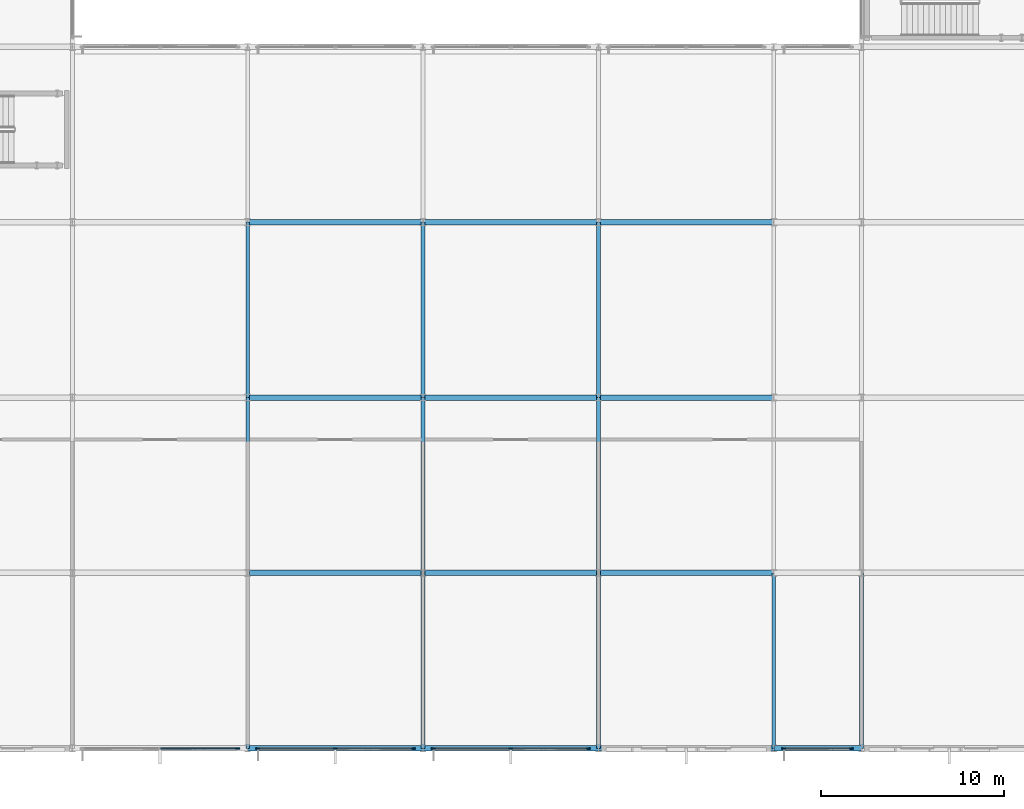
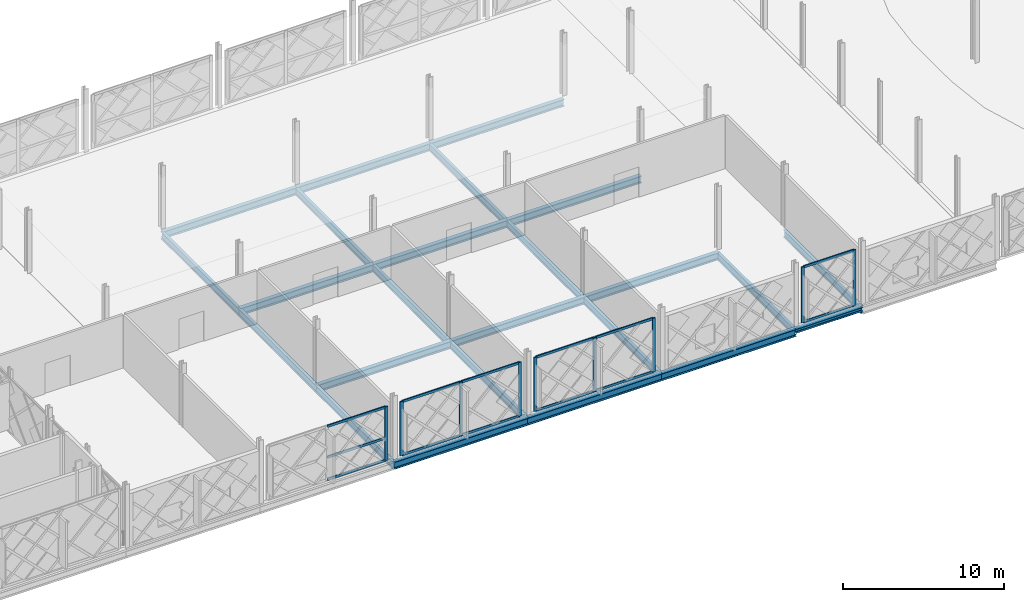
# One storey, part 23 of 77: 24 beams, 22 members, 4 elements without a shape of their own.
"""IFC4 building model written with IfcOpenShell, lengths in metres."""

from ifc_helpers import new_model, si_unit, direction, frame, origin, origin_2d, place, context, subcontext, project, spatial, rectangle, i_section, extrude, material, layer, layer_set, material_profile, profile_set, type_object, element, aggregate, save


model = new_model("IFC4")

# Units and contexts
model_context = context("Model", 3, precision=1e-05, world=origin(), true_north=direction((0.0, 1.0)))
body_context = subcontext(model_context, "Body", "Model", "MODEL_VIEW")
ifc_project = project(units=[si_unit("LENGTHUNIT", "METRE"), si_unit("AREAUNIT", "SQUARE_METRE"), si_unit("VOLUMEUNIT", "CUBIC_METRE"), si_unit("PLANEANGLEUNIT", "RADIAN"), si_unit("MASSUNIT", "GRAM", prefix="KILO")], contexts=[model_context])

# Site, building, storey
site_placement = place(None, origin())
site = spatial("IfcSite", under=ifc_project, at=site_placement, CompositionType="ELEMENT")
building_placement = place(site_placement, origin())
building = spatial("IfcBuilding", under=site, at=building_placement, Name="Zevrakil Square Congress Hotel", CompositionType="ELEMENT")
storey_placement = place(building_placement, frame((0.0, 0.0, 9.89990234375)))
storey = spatial("IfcBuildingStorey", under=building, at=storey_placement, Name="L03", CompositionType="ELEMENT", Elevation=9.89990234375)

# Beams
ifc_material_1 = material(Name="Steel S355", Category="steel")
ifc_material_profile_1 = material_profile(ifc_material_1, i_section(OverallWidth=0.300048828125, OverallDepth=0.31005859375, WebThickness=0.009033203125, FlangeThickness=0.015380859375, FilletRadius=0.027099609375, at=origin_2d()), Name="HEA 320")
ifc_profile_set_1 = profile_set([ifc_material_profile_1], Name="Steel S355")
beam_type_1 = type_object("IfcBeamType", Name="BM-HEA320", PredefinedType="BEAM", material=ifc_profile_set_1)
beam_1_placement = place(storey_placement, frame((103.199951171875, 7.199951171875, -0.414794921875), z_axis=(1.0, 0.0, 0.0), x_axis=(0.0, 1.0, 0.0)))
element("IfcBeam", 1, at=beam_1_placement, inside=storey, type_object=beam_type_1, Name="L03 primary girder BX-0978", PredefinedType="BEAM", context=body_context, shape_type="SweptSolid", body=[
    extrude(i_section(OverallWidth=0.300048828125, OverallDepth=0.31005859375, WebThickness=0.009033203125, FlangeThickness=0.015380859375, FilletRadius=0.027099609375, at=origin_2d()), origin(), (0.0, 0.0, 1.0), 4.800048828125),
])
ifc_material_2 = material(Name="Steel S355", Category="steel")
ifc_material_profile_2 = material_profile(ifc_material_2, i_section(OverallWidth=0.300048828125, OverallDepth=0.5400390625, WebThickness=0.012451171875, FlangeThickness=0.02392578125, FilletRadius=0.027099609375, at=origin_2d()), Name="HEA 550")
ifc_profile_set_2 = profile_set([ifc_material_profile_2], Name="Steel S355")
beam_type_2 = type_object("IfcBeamType", Name="BM-HEA550", PredefinedType="BEAM", material=ifc_profile_set_2)
for number, where, z_axis, x_axis, name in (
    (2, (74.39990234375, 7.199951171875, -0.52978515625), (1.0, 0.0, 0.0), (0.0, 1.0, 0.0), "L03 primary girder BX-0975"),
    (3, (84.0, 7.199951171875, -0.52978515625), (1.0, 0.0, 0.0), (0.0, 1.0, 0.0), "L03 primary girder BX-0976"),
):
    element("IfcBeam", number, at=place(storey_placement, frame(where, z_axis=z_axis, x_axis=x_axis)), inside=storey, type_object=beam_type_2, Name=name, PredefinedType="BEAM", context=body_context, shape_type="SweptSolid", body=[
        extrude(i_section(OverallWidth=0.300048828125, OverallDepth=0.5400390625, WebThickness=0.012451171875, FlangeThickness=0.02392578125, FilletRadius=0.027099609375, at=origin_2d()), origin(), (0.0, 0.0, 1.0), 9.60009765625),
    ])
beam_2_placement = place(storey_placement, frame((93.60009765625, 7.199951171875, -0.52978515625), z_axis=(1.0, 0.0, 0.0), x_axis=(0.0, 1.0, 0.0)))
element("IfcBeam", 4, at=beam_2_placement, inside=storey, type_object=beam_type_2, Name="L03 primary girder BX-0977", PredefinedType="BEAM", context=body_context, shape_type="SweptSolid", body=[
    extrude(i_section(OverallWidth=0.300048828125, OverallDepth=0.5400390625, WebThickness=0.012451171875, FlangeThickness=0.02392578125, FilletRadius=0.027099609375, at=origin_2d()), origin(), (0.0, 0.0, 1.0), 9.599853515625),
])
for number, where, z_axis, x_axis, name in (
    (5, (74.39990234375, 16.800048828125, -0.52978515625), (1.0, 0.0, 0.0), (0.0, 1.0, 0.0), "L03 primary girder BX-0986"),
    (6, (84.0, 16.800048828125, -0.52978515625), (1.0, 0.0, 0.0), (0.0, 1.0, 0.0), "L03 primary girder BX-0987"),
):
    element("IfcBeam", number, at=place(storey_placement, frame(where, z_axis=z_axis, x_axis=x_axis)), inside=storey, type_object=beam_type_2, Name=name, PredefinedType="BEAM", context=body_context, shape_type="SweptSolid", body=[
        extrude(i_section(OverallWidth=0.300048828125, OverallDepth=0.5400390625, WebThickness=0.012451171875, FlangeThickness=0.02392578125, FilletRadius=0.027099609375, at=origin_2d()), origin(), (0.0, 0.0, 1.0), 9.60009765625),
    ])
beam_3_placement = place(storey_placement, frame((93.60009765625, 16.800048828125, -0.52978515625), z_axis=(1.0, 0.0, 0.0), x_axis=(0.0, 1.0, 0.0)))
element("IfcBeam", 7, at=beam_3_placement, inside=storey, type_object=beam_type_2, Name="L03 primary girder BX-0988", PredefinedType="BEAM", context=body_context, shape_type="SweptSolid", body=[
    extrude(i_section(OverallWidth=0.300048828125, OverallDepth=0.5400390625, WebThickness=0.012451171875, FlangeThickness=0.02392578125, FilletRadius=0.027099609375, at=origin_2d()), origin(), (0.0, 0.0, 1.0), 9.599853515625),
])
for number, where, z_axis, x_axis, name in (
    (8, (74.39990234375, 26.39990234375, -0.52978515625), (1.0, 0.0, 0.0), (0.0, 1.0, 0.0), "L03 primary girder BX-0999"),
    (9, (84.0, 26.39990234375, -0.52978515625), (1.0, 0.0, 0.0), (0.0, 1.0, 0.0), "L03 primary girder BX-1000"),
):
    element("IfcBeam", number, at=place(storey_placement, frame(where, z_axis=z_axis, x_axis=x_axis)), inside=storey, type_object=beam_type_2, Name=name, PredefinedType="BEAM", context=body_context, shape_type="SweptSolid", body=[
        extrude(i_section(OverallWidth=0.300048828125, OverallDepth=0.5400390625, WebThickness=0.012451171875, FlangeThickness=0.02392578125, FilletRadius=0.027099609375, at=origin_2d()), origin(), (0.0, 0.0, 1.0), 9.60009765625),
    ])
beam_4_placement = place(storey_placement, frame((93.60009765625, 26.39990234375, -0.52978515625), z_axis=(1.0, 0.0, 0.0), x_axis=(0.0, 1.0, 0.0)))
element("IfcBeam", 10, at=beam_4_placement, inside=storey, type_object=beam_type_2, Name="L03 primary girder BX-1001", PredefinedType="BEAM", context=body_context, shape_type="SweptSolid", body=[
    extrude(i_section(OverallWidth=0.300048828125, OverallDepth=0.5400390625, WebThickness=0.012451171875, FlangeThickness=0.02392578125, FilletRadius=0.027099609375, at=origin_2d()), origin(), (0.0, 0.0, 1.0), 9.599853515625),
])
for number, where, z_axis, x_axis, name in (
    (11, (74.39990234375, 36.0, -0.52978515625), (1.0, 0.0, 0.0), (0.0, 1.0, 0.0), "L03 primary girder BX-1010"),
    (12, (84.0, 36.0, -0.52978515625), (1.0, 0.0, 0.0), (0.0, 1.0, 0.0), "L03 primary girder BX-1011"),
):
    element("IfcBeam", number, at=place(storey_placement, frame(where, z_axis=z_axis, x_axis=x_axis)), inside=storey, type_object=beam_type_2, Name=name, PredefinedType="BEAM", context=body_context, shape_type="SweptSolid", body=[
        extrude(i_section(OverallWidth=0.300048828125, OverallDepth=0.5400390625, WebThickness=0.012451171875, FlangeThickness=0.02392578125, FilletRadius=0.027099609375, at=origin_2d()), origin(), (0.0, 0.0, 1.0), 9.60009765625),
    ])
beam_5_placement = place(storey_placement, frame((93.60009765625, 36.0, -0.52978515625), z_axis=(1.0, 0.0, 0.0), x_axis=(0.0, 1.0, 0.0)))
element("IfcBeam", 13, at=beam_5_placement, inside=storey, type_object=beam_type_2, Name="L03 primary girder BX-1012", PredefinedType="BEAM", context=body_context, shape_type="SweptSolid", body=[
    extrude(i_section(OverallWidth=0.300048828125, OverallDepth=0.5400390625, WebThickness=0.012451171875, FlangeThickness=0.02392578125, FilletRadius=0.027099609375, at=origin_2d()), origin(), (0.0, 0.0, 1.0), 9.599853515625),
])
ifc_material_3 = material(Name="Steel S355", Category="steel")
ifc_material_profile_3 = material_profile(ifc_material_3, i_section(OverallWidth=0.2099609375, OverallDepth=0.550048828125, WebThickness=0.010986328125, FlangeThickness=0.01708984375, FilletRadius=0.02392578125, at=origin_2d()), Name="IPE 550")
ifc_profile_set_3 = profile_set([ifc_material_profile_3], Name="Steel S355")
beam_type_3 = type_object("IfcBeamType", Name="BM-IPE550", PredefinedType="BEAM", material=ifc_profile_set_3)
beam_6_placement = place(storey_placement, frame((74.39990234375, 7.199951171875, -0.534912109375), z_axis=(0.0, 1.0, 0.0), x_axis=(-1.0, 0.0, 0.0)))
element("IfcBeam", 14, at=beam_6_placement, inside=storey, type_object=beam_type_3, Name="L03 primary girder BY-1122", PredefinedType="BEAM", context=body_context, shape_type="SweptSolid", body=[
    extrude(i_section(OverallWidth=0.2099609375, OverallDepth=0.550048828125, WebThickness=0.010986328125, FlangeThickness=0.01708984375, FilletRadius=0.02392578125, at=origin_2d()), origin(), (0.0, 0.0, 1.0), 9.60009765625),
])
beam_7_placement = place(storey_placement, frame((74.39990234375, 16.800048828125, -0.534912109375), z_axis=(0.0, 1.0, 0.0), x_axis=(-1.0, 0.0, 0.0)))
element("IfcBeam", 15, at=beam_7_placement, inside=storey, type_object=beam_type_3, Name="L03 primary girder BY-1123", PredefinedType="BEAM", context=body_context, shape_type="SweptSolid", body=[
    extrude(i_section(OverallWidth=0.2099609375, OverallDepth=0.550048828125, WebThickness=0.010986328125, FlangeThickness=0.01708984375, FilletRadius=0.02392578125, at=origin_2d()), origin(), (0.0, 0.0, 1.0), 9.599853515625),
])
for number, where, z_axis, x_axis, name in (
    (16, (74.39990234375, 26.39990234375, -0.534912109375), (0.0, 1.0, 0.0), (-1.0, 0.0, 0.0), "L03 primary girder BY-1124"),
    (17, (84.0, 7.199951171875, -0.534912109375), (0.0, 1.0, 0.0), (-1.0, 0.0, 0.0), "L03 primary girder BY-1129"),
):
    element("IfcBeam", number, at=place(storey_placement, frame(where, z_axis=z_axis, x_axis=x_axis)), inside=storey, type_object=beam_type_3, Name=name, PredefinedType="BEAM", context=body_context, shape_type="SweptSolid", body=[
        extrude(i_section(OverallWidth=0.2099609375, OverallDepth=0.550048828125, WebThickness=0.010986328125, FlangeThickness=0.01708984375, FilletRadius=0.02392578125, at=origin_2d()), origin(), (0.0, 0.0, 1.0), 9.60009765625),
    ])
beam_8_placement = place(storey_placement, frame((84.0, 16.800048828125, -0.534912109375), z_axis=(0.0, 1.0, 0.0), x_axis=(-1.0, 0.0, 0.0)))
element("IfcBeam", 18, at=beam_8_placement, inside=storey, type_object=beam_type_3, Name="L03 primary girder BY-1130", PredefinedType="BEAM", context=body_context, shape_type="SweptSolid", body=[
    extrude(i_section(OverallWidth=0.2099609375, OverallDepth=0.550048828125, WebThickness=0.010986328125, FlangeThickness=0.01708984375, FilletRadius=0.02392578125, at=origin_2d()), origin(), (0.0, 0.0, 1.0), 9.599853515625),
])
for number, where, z_axis, x_axis, name in (
    (19, (84.0, 26.39990234375, -0.534912109375), (0.0, 1.0, 0.0), (-1.0, 0.0, 0.0), "L03 primary girder BY-1131"),
    (20, (93.60009765625, 7.199951171875, -0.534912109375), (0.0, 1.0, 0.0), (-1.0, 0.0, 0.0), "L03 primary girder BY-1136"),
):
    element("IfcBeam", number, at=place(storey_placement, frame(where, z_axis=z_axis, x_axis=x_axis)), inside=storey, type_object=beam_type_3, Name=name, PredefinedType="BEAM", context=body_context, shape_type="SweptSolid", body=[
        extrude(i_section(OverallWidth=0.2099609375, OverallDepth=0.550048828125, WebThickness=0.010986328125, FlangeThickness=0.01708984375, FilletRadius=0.02392578125, at=origin_2d()), origin(), (0.0, 0.0, 1.0), 9.60009765625),
    ])
beam_9_placement = place(storey_placement, frame((93.60009765625, 16.800048828125, -0.534912109375), z_axis=(0.0, 1.0, 0.0), x_axis=(-1.0, 0.0, 0.0)))
element("IfcBeam", 21, at=beam_9_placement, inside=storey, type_object=beam_type_3, Name="L03 primary girder BY-1137", PredefinedType="BEAM", context=body_context, shape_type="SweptSolid", body=[
    extrude(i_section(OverallWidth=0.2099609375, OverallDepth=0.550048828125, WebThickness=0.010986328125, FlangeThickness=0.01708984375, FilletRadius=0.02392578125, at=origin_2d()), origin(), (0.0, 0.0, 1.0), 9.599853515625),
])
for number, where, z_axis, x_axis, name in (
    (22, (93.60009765625, 26.39990234375, -0.534912109375), (0.0, 1.0, 0.0), (-1.0, 0.0, 0.0), "L03 primary girder BY-1138"),
    (23, (103.199951171875, 7.199951171875, -0.534912109375), (0.0, 1.0, 0.0), (-1.0, 0.0, 0.0), "L03 primary girder BY-1143"),
    (24, (108.0, 7.199951171875, -0.534912109375), (0.0, 1.0, 0.0), (-1.0, 0.0, 0.0), "L03 primary girder BY-1150"),
):
    element("IfcBeam", number, at=place(storey_placement, frame(where, z_axis=z_axis, x_axis=x_axis)), inside=storey, type_object=beam_type_3, Name=name, PredefinedType="BEAM", context=body_context, shape_type="SweptSolid", body=[
        extrude(i_section(OverallWidth=0.2099609375, OverallDepth=0.550048828125, WebThickness=0.010986328125, FlangeThickness=0.01708984375, FilletRadius=0.02392578125, at=origin_2d()), origin(), (0.0, 0.0, 1.0), 9.60009765625),
    ])

# Curtain wall, members
ifc_material_4 = material(Name="Aluminium Anodised Bronze", Category="aluminium")
ifc_layer_1 = layer(ifc_material_4, 0.179931640625)
ifc_layer_set_1 = layer_set([ifc_layer_1], Name="Aluminium Anodised Bronze")
curtain_wall_type_1 = type_object("IfcCurtainWallType", Name="CW-L03-840", PredefinedType="USERDEFINED", material=ifc_layer_set_1)
curtain_wall_1_placement = place(storey_placement, origin())
curtain_wall_1 = element("IfcCurtainWall", 25, at=curtain_wall_1_placement, inside=storey, type_object=curtain_wall_type_1, Name="L03 diamond curtain wall CW-L03-0006", ObjectType="GLAZED CURTAIN WALL", PredefinedType="USERDEFINED")
ifc_material_5 = material(Name="Aluminium Anodised Bronze", Category="aluminium")
ifc_material_profile_4 = material_profile(ifc_material_5, rectangle(XDim=0.0849609375, YDim=0.179931640625, at=origin_2d()), Name="ALU 85x180")
ifc_profile_set_4 = profile_set([ifc_material_profile_4], Name="Aluminium Anodised Bronze")
member_type_1 = type_object("IfcMemberType", Name="CWM-ALU85x180", PredefinedType="USERDEFINED", material=ifc_profile_set_4)
member_1_placement = place(storey_placement, frame((69.6298828125, 7.199951171875, 0.030029296875), z_axis=(1.0, 0.0, 0.0), x_axis=(0.0, 1.0, 0.0)))
member_1 = element("IfcMember", 26, at=member_1_placement, type_object=member_type_1, Name="CW-35 transom 2.1", ObjectType="TRANSOM", PredefinedType="USERDEFINED", context=body_context, shape_type="SweptSolid", body=[
    extrude(rectangle(XDim=0.0849609375, YDim=0.179931640625, at=origin_2d()), origin(), (0.0, 0.0, 1.0), 4.190185546875),
])
member_2_placement = place(storey_placement, frame((69.6298828125, 7.199951171875, 1.7158203125), z_axis=(1.0, 0.0, 0.0), x_axis=(0.0, 1.0, 0.0)))
member_2 = element("IfcMember", 27, at=member_2_placement, type_object=member_type_1, Name="CW-35 transom 2.2", ObjectType="TRANSOM", PredefinedType="USERDEFINED", context=body_context, shape_type="SweptSolid", body=[
    extrude(rectangle(XDim=0.0849609375, YDim=0.179931640625, at=origin_2d()), origin(), (0.0, 0.0, 1.0), 4.190185546875),
])
member_3_placement = place(storey_placement, frame((69.6298828125, 7.199951171875, 4.05517578125), z_axis=(1.0, 0.0, 0.0), x_axis=(0.0, 1.0, 0.0)))
member_3 = element("IfcMember", 28, at=member_3_placement, type_object=member_type_1, Name="CW-35 transom 2.3", ObjectType="TRANSOM", PredefinedType="USERDEFINED", context=body_context, shape_type="SweptSolid", body=[
    extrude(rectangle(XDim=0.0849609375, YDim=0.179931640625, at=origin_2d()), origin(), (0.0, 0.0, 1.0), 4.190185546875),
])

curtain_wall_2_placement = place(storey_placement, origin())
curtain_wall_2 = element("IfcCurtainWall", 29, at=curtain_wall_2_placement, inside=storey, type_object=curtain_wall_type_1, Name="L03 diamond curtain wall CW-L03-0007", ObjectType="GLAZED CURTAIN WALL", PredefinedType="USERDEFINED")
member_4_placement = place(storey_placement, frame((74.97998046875, 7.199951171875, 0.030029296875), z_axis=(1.0, 0.0, 0.0), x_axis=(0.0, 1.0, 0.0)))
member_4 = element("IfcMember", 30, at=member_4_placement, type_object=member_type_1, Name="CW-35 transom 1.1", ObjectType="TRANSOM", PredefinedType="USERDEFINED", context=body_context, shape_type="SweptSolid", body=[
    extrude(rectangle(XDim=0.0849609375, YDim=0.179931640625, at=origin_2d()), origin(), (0.0, 0.0, 1.0), 4.18994140625),
])
member_5_placement = place(storey_placement, frame((74.97998046875, 7.199951171875, 4.05517578125), z_axis=(1.0, 0.0, 0.0), x_axis=(0.0, 1.0, 0.0)))
member_5 = element("IfcMember", 31, at=member_5_placement, type_object=member_type_1, Name="CW-35 transom 1.2", ObjectType="TRANSOM", PredefinedType="USERDEFINED", context=body_context, shape_type="SweptSolid", body=[
    extrude(rectangle(XDim=0.0849609375, YDim=0.179931640625, at=origin_2d()), origin(), (0.0, 0.0, 1.0), 4.18994140625),
])
member_6_placement = place(storey_placement, frame((79.22998046875, 7.199951171875, 0.030029296875), z_axis=(1.0, 0.0, 0.0), x_axis=(0.0, 1.0, 0.0)))
member_6 = element("IfcMember", 32, at=member_6_placement, type_object=member_type_1, Name="CW-35 transom 2.1", ObjectType="TRANSOM", PredefinedType="USERDEFINED", context=body_context, shape_type="SweptSolid", body=[
    extrude(rectangle(XDim=0.0849609375, YDim=0.179931640625, at=origin_2d()), origin(), (0.0, 0.0, 1.0), 4.18994140625),
])
member_7_placement = place(storey_placement, frame((79.22998046875, 7.199951171875, 4.05517578125), z_axis=(1.0, 0.0, 0.0), x_axis=(0.0, 1.0, 0.0)))
member_7 = element("IfcMember", 33, at=member_7_placement, type_object=member_type_1, Name="CW-35 transom 2.2", ObjectType="TRANSOM", PredefinedType="USERDEFINED", context=body_context, shape_type="SweptSolid", body=[
    extrude(rectangle(XDim=0.0849609375, YDim=0.179931640625, at=origin_2d()), origin(), (0.0, 0.0, 1.0), 4.18994140625),
])

curtain_wall_3_placement = place(storey_placement, origin())
curtain_wall_3 = element("IfcCurtainWall", 34, at=curtain_wall_3_placement, inside=storey, type_object=curtain_wall_type_1, Name="L03 diamond curtain wall CW-L03-0009", ObjectType="GLAZED CURTAIN WALL", PredefinedType="USERDEFINED")
member_8_placement = place(storey_placement, frame((84.580078125, 7.199951171875, 0.030029296875), z_axis=(1.0, 0.0, 0.0), x_axis=(0.0, 1.0, 0.0)))
member_8 = element("IfcMember", 35, at=member_8_placement, type_object=member_type_1, Name="CW-35 transom 1.1", ObjectType="TRANSOM", PredefinedType="USERDEFINED", context=body_context, shape_type="SweptSolid", body=[
    extrude(rectangle(XDim=0.0849609375, YDim=0.179931640625, at=origin_2d()), origin(), (0.0, 0.0, 1.0), 4.18994140625),
])
member_9_placement = place(storey_placement, frame((84.580078125, 7.199951171875, 4.05517578125), z_axis=(1.0, 0.0, 0.0), x_axis=(0.0, 1.0, 0.0)))
member_9 = element("IfcMember", 36, at=member_9_placement, type_object=member_type_1, Name="CW-35 transom 1.2", ObjectType="TRANSOM", PredefinedType="USERDEFINED", context=body_context, shape_type="SweptSolid", body=[
    extrude(rectangle(XDim=0.0849609375, YDim=0.179931640625, at=origin_2d()), origin(), (0.0, 0.0, 1.0), 4.18994140625),
])
member_10_placement = place(storey_placement, frame((88.830078125, 7.199951171875, 0.030029296875), z_axis=(1.0, 0.0, 0.0), x_axis=(0.0, 1.0, 0.0)))
member_10 = element("IfcMember", 37, at=member_10_placement, type_object=member_type_1, Name="CW-35 transom 2.1", ObjectType="TRANSOM", PredefinedType="USERDEFINED", context=body_context, shape_type="SweptSolid", body=[
    extrude(rectangle(XDim=0.0849609375, YDim=0.179931640625, at=origin_2d()), origin(), (0.0, 0.0, 1.0), 4.18994140625),
])
member_11_placement = place(storey_placement, frame((88.830078125, 7.199951171875, 4.05517578125), z_axis=(1.0, 0.0, 0.0), x_axis=(0.0, 1.0, 0.0)))
member_11 = element("IfcMember", 38, at=member_11_placement, type_object=member_type_1, Name="CW-35 transom 2.2", ObjectType="TRANSOM", PredefinedType="USERDEFINED", context=body_context, shape_type="SweptSolid", body=[
    extrude(rectangle(XDim=0.0849609375, YDim=0.179931640625, at=origin_2d()), origin(), (0.0, 0.0, 1.0), 4.18994140625),
])

ifc_material_6 = material(Name="Aluminium Anodised Bronze", Category="aluminium")
ifc_layer_2 = layer(ifc_material_6, 0.179931640625)
ifc_layer_set_2 = layer_set([ifc_layer_2], Name="Aluminium Anodised Bronze")
curtain_wall_type_2 = type_object("IfcCurtainWallType", Name="CW-L03-360", PredefinedType="USERDEFINED", material=ifc_layer_set_2)
curtain_wall_4_placement = place(storey_placement, origin())
curtain_wall_4 = element("IfcCurtainWall", 39, at=curtain_wall_4_placement, inside=storey, type_object=curtain_wall_type_2, Name="L03 diamond curtain wall CW-L03-0011", ObjectType="GLAZED CURTAIN WALL", PredefinedType="USERDEFINED")
member_12_placement = place(storey_placement, frame((103.780029296875, 7.199951171875, 0.030029296875), z_axis=(1.0, 0.0, 0.0), x_axis=(0.0, 1.0, 0.0)))
member_12 = element("IfcMember", 40, at=member_12_placement, type_object=member_type_1, Name="CW-28 transom 1.1", ObjectType="TRANSOM", PredefinedType="USERDEFINED", context=body_context, shape_type="SweptSolid", body=[
    extrude(rectangle(XDim=0.0849609375, YDim=0.179931640625, at=origin_2d()), origin(), (0.0, 0.0, 1.0), 3.639892578125),
])
member_13_placement = place(storey_placement, frame((103.780029296875, 7.199951171875, 4.18505859375), z_axis=(1.0, 0.0, 0.0), x_axis=(0.0, 1.0, 0.0)))
member_13 = element("IfcMember", 41, at=member_13_placement, type_object=member_type_1, Name="CW-28 transom 1.2", ObjectType="TRANSOM", PredefinedType="USERDEFINED", context=body_context, shape_type="SweptSolid", body=[
    extrude(rectangle(XDim=0.0849609375, YDim=0.179931640625, at=origin_2d()), origin(), (0.0, 0.0, 1.0), 3.639892578125),
])

# Member
ifc_material_7 = material(Name="Aluminium Anodised Bronze", Category="aluminium")
ifc_material_profile_5 = material_profile(ifc_material_7, rectangle(XDim=0.0849609375, YDim=0.219970703125, at=origin_2d()), Name="ALU 85x220")
ifc_profile_set_5 = profile_set([ifc_material_profile_5], Name="Aluminium Anodised Bronze")
member_type_2 = type_object("IfcMemberType", Name="CWM-ALU85x220", PredefinedType="MULLION", material=ifc_profile_set_5)
member_14_placement = place(storey_placement, frame((73.85009765625, 7.199951171875, 0.0), z_axis=(0.0, 0.0, 1.0), x_axis=(0.0, 1.0, 0.0)))
member_14 = element("IfcMember", 42, at=member_14_placement, type_object=member_type_2, Name="CW-35 mullion 3", PredefinedType="MULLION", context=body_context, shape_type="SweptSolid", body=[
    extrude(rectangle(XDim=0.0849609375, YDim=0.219970703125, at=origin_2d()), origin(), (0.0, 0.0, 1.0), 4.085205078125),
])

aggregate(curtain_wall_1, [member_14, member_1, member_2, member_3])

member_15_placement = place(storey_placement, frame((74.949951171875, 7.199951171875, 0.0), z_axis=(0.0, 0.0, 1.0), x_axis=(0.0, 1.0, 0.0)))
member_15 = element("IfcMember", 43, at=member_15_placement, type_object=member_type_2, Name="CW-35 mullion 1", PredefinedType="MULLION", context=body_context, shape_type="SweptSolid", body=[
    extrude(rectangle(XDim=0.0849609375, YDim=0.219970703125, at=origin_2d()), origin(), (0.0, 0.0, 1.0), 4.085205078125),
])

member_16_placement = place(storey_placement, frame((79.199951171875, 7.199951171875, 0.0), z_axis=(0.0, 0.0, 1.0), x_axis=(0.0, 1.0, 0.0)))
member_16 = element("IfcMember", 44, at=member_16_placement, type_object=member_type_2, Name="CW-35 mullion 2", PredefinedType="MULLION", context=body_context, shape_type="SweptSolid", body=[
    extrude(rectangle(XDim=0.0849609375, YDim=0.219970703125, at=origin_2d()), origin(), (0.0, 0.0, 1.0), 4.085205078125),
])

member_17_placement = place(storey_placement, frame((83.449951171875, 7.199951171875, 0.0), z_axis=(0.0, 0.0, 1.0), x_axis=(0.0, 1.0, 0.0)))
member_17 = element("IfcMember", 45, at=member_17_placement, type_object=member_type_2, Name="CW-35 mullion 3", PredefinedType="MULLION", context=body_context, shape_type="SweptSolid", body=[
    extrude(rectangle(XDim=0.0849609375, YDim=0.219970703125, at=origin_2d()), origin(), (0.0, 0.0, 1.0), 4.085205078125),
])

aggregate(curtain_wall_2, [member_15, member_16, member_17, member_4, member_5, member_6, member_7])

member_18_placement = place(storey_placement, frame((84.550048828125, 7.199951171875, 0.0), z_axis=(0.0, 0.0, 1.0), x_axis=(0.0, 1.0, 0.0)))
member_18 = element("IfcMember", 46, at=member_18_placement, type_object=member_type_2, Name="CW-35 mullion 1", PredefinedType="MULLION", context=body_context, shape_type="SweptSolid", body=[
    extrude(rectangle(XDim=0.0849609375, YDim=0.219970703125, at=origin_2d()), origin(), (0.0, 0.0, 1.0), 4.085205078125),
])

member_19_placement = place(storey_placement, frame((88.800048828125, 7.199951171875, 0.0), z_axis=(0.0, 0.0, 1.0), x_axis=(0.0, 1.0, 0.0)))
member_19 = element("IfcMember", 47, at=member_19_placement, type_object=member_type_2, Name="CW-35 mullion 2", PredefinedType="MULLION", context=body_context, shape_type="SweptSolid", body=[
    extrude(rectangle(XDim=0.0849609375, YDim=0.219970703125, at=origin_2d()), origin(), (0.0, 0.0, 1.0), 4.085205078125),
])

member_20_placement = place(storey_placement, frame((93.050048828125, 7.199951171875, 0.0), z_axis=(0.0, 0.0, 1.0), x_axis=(0.0, 1.0, 0.0)))
member_20 = element("IfcMember", 48, at=member_20_placement, type_object=member_type_2, Name="CW-35 mullion 3", PredefinedType="MULLION", context=body_context, shape_type="SweptSolid", body=[
    extrude(rectangle(XDim=0.0849609375, YDim=0.219970703125, at=origin_2d()), origin(), (0.0, 0.0, 1.0), 4.085205078125),
])

aggregate(curtain_wall_3, [member_18, member_19, member_20, member_8, member_9, member_10, member_11])

member_21_placement = place(storey_placement, frame((103.75, 7.199951171875, 0.0), z_axis=(0.0, 0.0, 1.0), x_axis=(0.0, 1.0, 0.0)))
member_21 = element("IfcMember", 49, at=member_21_placement, type_object=member_type_2, Name="CW-28 mullion 1", PredefinedType="MULLION", context=body_context, shape_type="SweptSolid", body=[
    extrude(rectangle(XDim=0.0849609375, YDim=0.219970703125, at=origin_2d()), origin(), (0.0, 0.0, 1.0), 4.215087890625),
])

member_22_placement = place(storey_placement, frame((107.449951171875, 7.199951171875, 0.0), z_axis=(0.0, 0.0, 1.0), x_axis=(0.0, 1.0, 0.0)))
member_22 = element("IfcMember", 50, at=member_22_placement, type_object=member_type_2, Name="CW-28 mullion 2", PredefinedType="MULLION", context=body_context, shape_type="SweptSolid", body=[
    extrude(rectangle(XDim=0.0849609375, YDim=0.219970703125, at=origin_2d()), origin(), (0.0, 0.0, 1.0), 4.215087890625),
])

aggregate(curtain_wall_4, [member_21, member_22, member_12, member_13])

save(model, "model.ifc")
